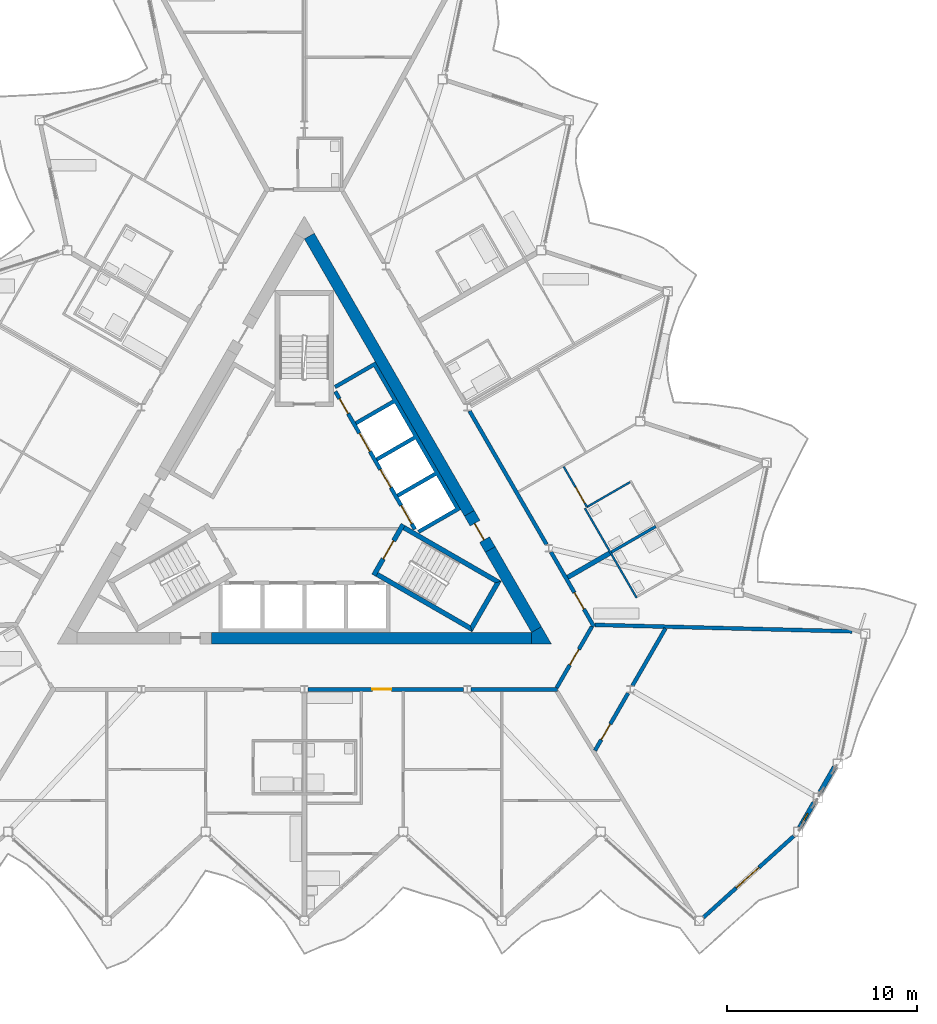
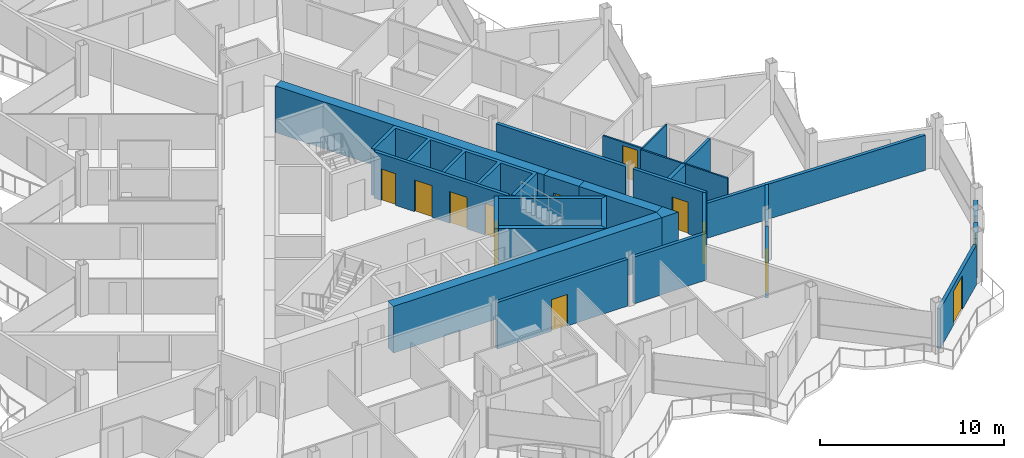
# One storey, part 15 of 26: 27 walls, 12 doors, 1 window, 13 openings.
"""IFC4 building model written with IfcOpenShell, lengths in metres."""

from ifc_helpers import new_model, si_unit, direction, frame, frame_2d, origin, place, context, subcontext, project, spatial, polyline, rectangle, outline, extrude, material, layer, layer_set, type_object, element, fill, save


model = new_model("IFC4")

# Units and contexts
model_context = context("Model", 3, precision=1e-05, world=origin(), true_north=direction((0.0, 1.0)))
body_context = subcontext(model_context, "Body", "Model", "MODEL_VIEW")
ifc_project = project(units=[si_unit("LENGTHUNIT", "METRE"), si_unit("AREAUNIT", "SQUARE_METRE"), si_unit("VOLUMEUNIT", "CUBIC_METRE"), si_unit("PLANEANGLEUNIT", "RADIAN"), si_unit("MASSUNIT", "GRAM", prefix="KILO")], contexts=[model_context])

# Site, building, storey
site_placement = place(None, origin())
site = spatial("IfcSite", under=ifc_project, at=site_placement, CompositionType="ELEMENT")
building_placement = place(site_placement, origin())
building = spatial("IfcBuilding", under=site, at=building_placement, Name="Cormorant Prow Tower", CompositionType="ELEMENT")
storey_placement = place(building_placement, frame((0.0, 0.0, 401.800048828125)))
storey = spatial("IfcBuildingStorey", under=building, at=storey_placement, Name="L92", CompositionType="ELEMENT", Elevation=401.800048828125)

# Walls
ifc_material_1 = material(Name="Concrete 8000 psi", Category="concrete")
ifc_layer_1 = layer(ifc_material_1, 0.60009765625)
ifc_layer_set_1 = layer_set([ifc_layer_1], Name="Concrete 8000 psi")
wall_type_1 = type_object("IfcWallType", Name="Core shear wall 600", PredefinedType="SHEAR", material=ifc_layer_set_1)
for number, where, z_axis, x_axis, name in (
    (1, (-4.89208984375, -7.20556640625, 0.0), (0.0, 0.0, 1.0), (1.0, 0.0, 0.0), "Core wall"),
    (2, (8.686279296875, -0.6337890625, 0.0), (0.0, 0.0, 1.0), (-0.500004601921, 0.866022746848, 0.0), "Core wall"),
):
    element("IfcWall", number, at=place(storey_placement, frame(where, z_axis=z_axis, x_axis=x_axis)), inside=storey, type_object=wall_type_1, Name=name, PredefinedType="SHEAR", context=body_context, shape_type="SweptSolid", body=[
        extrude(rectangle(XDim=16.852783203125, YDim=0.60009765625, at=frame_2d((8.42626953125, 0.0))), origin(), (0.0, 0.0, 1.0), 3.099853515625),
    ])
wall_1_placement = place(storey_placement, frame((12.220703125, -6.755615234375, 0.0), z_axis=(0.0, 0.0, 1.0), x_axis=(-0.50000604952, 0.866021911064, 0.0)))
element("IfcWall", 3, at=wall_1_placement, inside=storey, type_object=wall_type_1, Name="Core wall", PredefinedType="SHEAR", context=body_context, shape_type="SweptSolid", body=[
    extrude(rectangle(XDim=4.86865234375, YDim=0.60009765625, at=frame_2d((2.434326171875, 0.0))), origin(), (0.0, 0.0, 1.0), 3.099853515625),
])
wall_2_placement = place(storey_placement, origin())
element("IfcWall", 4, at=wall_2_placement, inside=storey, type_object=wall_type_1, Name="Core wall corner", PredefinedType="SHEAR", context=body_context, shape_type="SweptSolid", body=[
    extrude(outline(polyline([(11.960693359375, -7.505615234375), (11.960693359375, -6.905517578125), (12.48046875, -6.605712890625), (13.0, -7.505615234375), (11.960693359375, -7.505615234375)])), origin(), (0.0, 0.0, 1.0), 3.099853515625),
])

# Wall, opening, door
wall_3_placement = place(storey_placement, frame((9.786376953125, -2.539306640625, 0.0), z_axis=(0.0, 0.0, 1.0), x_axis=(-0.499981787252, 0.866035918664, 0.0)))
wall_3 = element("IfcWall", 5, at=wall_3_placement, inside=storey, type_object=wall_type_1, Name="Core wall door panel", PredefinedType="SHEAR", context=body_context, shape_type="SweptSolid", body=[
    extrude(rectangle(XDim=2.2001953125, YDim=0.60009765625, at=frame_2d((1.10009765625, 0.0))), origin(), (0.0, 0.0, 1.0), 3.099853515625),
])
opening_1_placement = place(wall_3_placement, frame((0.60009765625, 0.0, 0.0)))
opening_1 = element("IfcOpeningElement", 6, at=opening_1_placement, cuts=wall_3, Name="Opening L92-C15", PredefinedType="OPENING", context=body_context, shape_type="SweptSolid", body=[
    extrude(rectangle(XDim=1.0, YDim=2.10009765625, at=frame_2d((0.5, 1.050048828125))), frame((0.0, 0.31005859375, 0.0), z_axis=(0.0, -1.0, 0.0), x_axis=(1.0, 0.0, 0.0)), (0.0, 0.0, 1.0), 0.6201171875),
])
ifc_material_2 = material(Name="Painted steel", Category="steel")
door_type_1 = type_object("IfcDoorType", Name="Service door 1000x2100", OperationType="NOTDEFINED", PredefinedType="DOOR", material=ifc_material_2)
door_1_placement = place(opening_1_placement, origin())
door_1 = element("IfcDoor", 7, at=door_1_placement, inside=storey, type_object=door_type_1, Name="Core door, Electrical room", OperationType="SINGLE_SWING_LEFT", OverallHeight=2.10009765625, OverallWidth=1.0, PredefinedType="DOOR", context=body_context, shape_type="SweptSolid", body=[
    extrude(rectangle(XDim=1.0, YDim=2.10009765625, at=frame_2d((0.5, 1.050048828125))), frame((0.0, 0.05517578125, 0.0), z_axis=(0.0, -1.0, 0.0), x_axis=(1.0, 0.0, 0.0)), (0.0, 0.0, 1.0), 0.050048828125),
])
fill(opening_1, door_1)

ifc_material_3 = material(Name="Gypsum board corridor wall")
ifc_layer_2 = layer(ifc_material_3, 0.199951171875)
ifc_layer_set_2 = layer_set([ifc_layer_2], Name="Gypsum board corridor wall")
wall_type_2 = type_object("IfcWallType", Name="Corridor wall 200", PredefinedType="PARTITIONING", material=ifc_layer_set_2)
wall_4_placement = place(storey_placement, frame((0.197021484375, -9.905517578125, 0.0), z_axis=(0.0, 0.0, 1.0), x_axis=(1.0, 0.0, 0.0)))
wall_4 = element("IfcWall", 8, at=wall_4_placement, inside=storey, type_object=wall_type_2, Name="Corridor wall", PredefinedType="PARTITIONING", context=body_context, shape_type="SweptSolid", body=[
    extrude(rectangle(XDim=8.1845703125, YDim=0.199951171875, at=frame_2d((4.09228515625, 0.0))), origin(), (0.0, 0.0, 1.0), 3.099853515625),
])
opening_2_placement = place(wall_4_placement, frame((3.3896484375, 0.0, 0.0)))
opening_2 = element("IfcOpeningElement", 9, at=opening_2_placement, cuts=wall_4, Name="Opening L92-F08", PredefinedType="OPENING", context=body_context, shape_type="SweptSolid", body=[
    extrude(rectangle(XDim=1.0, YDim=2.10009765625, at=frame_2d((0.5, 1.050048828125))), frame((0.0, 0.10986328125, 0.0), z_axis=(0.0, -1.0, 0.0), x_axis=(1.0, 0.0, 0.0)), (0.0, 0.0, 1.0), 0.219970703125),
])
ifc_material_4 = material(Name="Timber door leaf", Category="wood")
door_type_2 = type_object("IfcDoorType", Name="Flat or room entrance door 1000x2100", OperationType="NOTDEFINED", PredefinedType="DOOR", material=ifc_material_4)
door_2_placement = place(opening_2_placement, origin())
door_2 = element("IfcDoor", 10, at=door_2_placement, inside=storey, type_object=door_type_2, Name="Living room door", OperationType="SINGLE_SWING_RIGHT", OverallHeight=2.10009765625, OverallWidth=1.0, PredefinedType="DOOR", context=body_context, shape_type="SweptSolid", body=[
    extrude(rectangle(XDim=1.0, YDim=2.10009765625, at=frame_2d((0.5, 1.050048828125))), frame((0.0, 0.02490234375, 0.0), z_axis=(0.0, -1.0, 0.0), x_axis=(1.0, 0.0, 0.0)), (0.0, 0.0, 1.0), 0.050048828125),
])
fill(opening_2, door_2)

# Walls
wall_5_placement = place(storey_placement, frame((8.692138671875, 4.755859375, 0.0), z_axis=(0.0, 0.0, 1.0), x_axis=(0.500001682468, -0.866024432409, 0.0)))
element("IfcWall", 11, at=wall_5_placement, inside=storey, type_object=wall_type_2, Name="Corridor wall", PredefinedType="PARTITIONING", context=body_context, shape_type="SweptSolid", body=[
    extrude(rectangle(XDim=8.12353515625, YDim=0.199951171875, at=frame_2d((4.061767578125, 0.0))), origin(), (0.0, 0.0, 1.0), 3.099853515625),
])
wall_6_placement = place(storey_placement, frame((8.775390625, -9.905517578125, 0.0), z_axis=(0.0, 0.0, 1.0), x_axis=(1.0, 0.0, 0.0)))
element("IfcWall", 12, at=wall_6_placement, inside=storey, type_object=wall_type_2, Name="Corridor wall", PredefinedType="PARTITIONING", context=body_context, shape_type="SweptSolid", body=[
    extrude(rectangle(XDim=4.555419921875, YDim=0.199951171875, at=frame_2d((2.27783203125, 0.0))), origin(), (0.0, 0.0, 1.0), 3.099853515625),
])

# Wall, opening, door
wall_7_placement = place(storey_placement, frame((12.9814453125, -2.67333984375, 0.0), z_axis=(0.0, 0.0, 1.0), x_axis=(0.499974648164, -0.866040040179, 0.0)))
wall_7 = element("IfcWall", 13, at=wall_7_placement, inside=storey, type_object=wall_type_2, Name="Corridor wall", PredefinedType="PARTITIONING", context=body_context, shape_type="SweptSolid", body=[
    extrude(rectangle(XDim=4.525146484375, YDim=0.199951171875, at=frame_2d((2.2626953125, 0.0))), origin(), (0.0, 0.0, 1.0), 3.099853515625),
])
opening_3_placement = place(wall_7_placement, frame((2.46826171875, 0.0, 0.0)))
opening_3 = element("IfcOpeningElement", 14, at=opening_3_placement, cuts=wall_7, Name="Opening L92-F18", PredefinedType="OPENING", context=body_context, shape_type="SweptSolid", body=[
    extrude(rectangle(XDim=1.0, YDim=2.10009765625, at=frame_2d((0.5, 1.050048828125))), frame((0.0, 0.10986328125, 0.0), z_axis=(0.0, -1.0, 0.0), x_axis=(1.0, 0.0, 0.0)), (0.0, 0.0, 1.0), 0.219970703125),
])
door_3_placement = place(opening_3_placement, origin())
door_3 = element("IfcDoor", 15, at=door_3_placement, inside=storey, type_object=door_type_2, Name="Studio living, kitchen and sleeping room door", OperationType="SINGLE_SWING_LEFT", OverallHeight=2.10009765625, OverallWidth=1.0, PredefinedType="DOOR", context=body_context, shape_type="SweptSolid", body=[
    extrude(rectangle(XDim=1.0, YDim=2.10009765625, at=frame_2d((0.5, 1.050048828125))), frame((0.0, 0.02490234375, 0.0), z_axis=(0.0, -1.0, 0.0), x_axis=(1.0, 0.0, 0.0)), (0.0, 0.0, 1.0), 0.050048828125),
])
fill(opening_3, door_3)

wall_8_placement = place(storey_placement, frame((13.281005859375, -9.819091796875, 0.0), z_axis=(0.0, 0.0, 1.0), x_axis=(0.499958791762, 0.866049194065, 0.0)))
wall_8 = element("IfcWall", 16, at=wall_8_placement, inside=storey, type_object=wall_type_2, Name="Corridor wall", PredefinedType="PARTITIONING", context=body_context, shape_type="SweptSolid", body=[
    extrude(rectangle(XDim=3.725830078125, YDim=0.199951171875, at=frame_2d((1.86279296875, 0.0))), origin(), (0.0, 0.0, 1.0), 3.099853515625),
])
opening_4_placement = place(wall_8_placement, frame((1.387939453125, 0.0, 0.0)))
opening_4 = element("IfcOpeningElement", 17, at=opening_4_placement, cuts=wall_8, Name="Opening L92-F16", PredefinedType="OPENING", context=body_context, shape_type="SweptSolid", body=[
    extrude(rectangle(XDim=0.949951171875, YDim=2.10009765625, at=frame_2d((0.47509765625, 1.050048828125))), frame((0.0, 0.10986328125, 0.0), z_axis=(0.0, -1.0, 0.0), x_axis=(1.0, 0.0, 0.0)), (0.0, 0.0, 1.0), 0.219970703125),
])
ifc_material_5 = material(Name="Timber door leaf", Category="wood")
door_type_3 = type_object("IfcDoorType", Name="Store door 950x2100", OperationType="NOTDEFINED", PredefinedType="DOOR", material=ifc_material_5)
door_4_placement = place(opening_4_placement, origin())
door_4 = element("IfcDoor", 18, at=door_4_placement, inside=storey, type_object=door_type_3, Name="Refuse room door", OperationType="SINGLE_SWING_LEFT", OverallHeight=2.10009765625, OverallWidth=0.949951171875, PredefinedType="DOOR", context=body_context, shape_type="SweptSolid", body=[
    extrude(rectangle(XDim=0.949951171875, YDim=2.10009765625, at=frame_2d((0.47509765625, 1.050048828125))), frame((0.0, 0.02490234375, 0.0), z_axis=(0.0, -1.0, 0.0), x_axis=(1.0, 0.0, 0.0)), (0.0, 0.0, 1.0), 0.050048828125),
])
fill(opening_4, door_4)

# Wall
ifc_material_6 = material(Name="Gypsum board demising wall")
ifc_layer_3 = layer(ifc_material_6, 0.199951171875)
ifc_layer_set_3 = layer_set([ifc_layer_3], Name="Gypsum board demising wall")
wall_type_3 = type_object("IfcWallType", Name="Demising wall 200", PredefinedType="PARTITIONING", material=ifc_layer_set_3)
wall_9_placement = place(storey_placement, frame((15.293701171875, -6.508056640625, 0.0), z_axis=(0.0, 0.0, 1.0), x_axis=(0.999679467074, -0.02531724927, 0.0)))
element("IfcWall", 19, at=wall_9_placement, inside=storey, type_object=wall_type_3, Name="Demising wall", PredefinedType="PARTITIONING", context=body_context, shape_type="SweptSolid", body=[
    extrude(rectangle(XDim=13.529541015625, YDim=0.199951171875, at=frame_2d((6.7646484375, 0.0))), origin(), (0.0, 0.0, 1.0), 2.330078125),
])

# Wall, opening, door
wall_10_placement = place(storey_placement, frame((15.300537109375, -13.12109375, 0.0), z_axis=(0.0, 0.0, 1.0), x_axis=(0.499981154543, 0.866036283941, 0.0)))
wall_10 = element("IfcWall", 20, at=wall_10_placement, inside=storey, type_object=wall_type_3, Name="Demising wall", PredefinedType="PARTITIONING", context=body_context, shape_type="SweptSolid", body=[
    extrude(rectangle(XDim=3.485595703125, YDim=0.199951171875, at=frame_2d((1.74267578125, 0.0))), origin(), (0.0, 0.0, 1.0), 2.330078125),
])
opening_5_placement = place(wall_10_placement, frame((0.656982421875, 0.0, 0.0)))
opening_5 = element("IfcOpeningElement", 21, at=opening_5_placement, cuts=wall_10, Name="Opening L92-F17", PredefinedType="OPENING", context=body_context, shape_type="SweptSolid", body=[
    extrude(rectangle(XDim=0.949951171875, YDim=2.10009765625, at=frame_2d((0.47509765625, 1.050048828125))), frame((0.0, 0.10986328125, 0.0), z_axis=(0.0, -1.0, 0.0), x_axis=(1.0, 0.0, 0.0)), (0.0, 0.0, 1.0), 0.219970703125),
])
door_5_placement = place(opening_5_placement, origin())
door_5 = element("IfcDoor", 22, at=door_5_placement, inside=storey, type_object=door_type_3, Name="Bicycle store door", OperationType="SINGLE_SWING_LEFT", OverallHeight=2.10009765625, OverallWidth=0.949951171875, PredefinedType="DOOR", context=body_context, shape_type="SweptSolid", body=[
    extrude(rectangle(XDim=0.949951171875, YDim=2.10009765625, at=frame_2d((0.47509765625, 1.050048828125))), frame((0.0, 0.02490234375, 0.0), z_axis=(0.0, -1.0, 0.0), x_axis=(1.0, 0.0, 0.0)), (0.0, 0.0, 1.0), 0.050048828125),
])
fill(opening_5, door_5)

# Walls
wall_11_placement = place(storey_placement, frame((17.270751953125, -9.70849609375, 0.0), z_axis=(0.0, 0.0, 1.0), x_axis=(0.500011485685, 0.866018772419, 0.0)))
element("IfcWall", 23, at=wall_11_placement, inside=storey, type_object=wall_type_3, Name="Demising wall", PredefinedType="PARTITIONING", context=body_context, shape_type="SweptSolid", body=[
    extrude(rectangle(XDim=3.4853515625, YDim=0.199951171875, at=frame_2d((1.74267578125, 0.0))), origin(), (0.0, 0.0, 1.0), 2.330078125),
])
ifc_material_7 = material(Name="Gypsum board partition")
ifc_layer_4 = layer(ifc_material_7, 0.10009765625)
ifc_layer_set_4 = layer_set([ifc_layer_4], Name="Gypsum board partition")
wall_type_4 = type_object("IfcWallType", Name="Internal partition 100", PredefinedType="PARTITIONING", material=ifc_layer_set_4)
wall_12_placement = place(storey_placement, frame((14.7666015625, -0.365478515625, 0.0), z_axis=(0.0, 0.0, 1.0), x_axis=(0.500002931134, -0.866023711487, 0.0)))
element("IfcWall", 24, at=wall_12_placement, inside=storey, type_object=wall_type_4, Name="Internal partition", PredefinedType="PARTITIONING", context=body_context, shape_type="SweptSolid", body=[
    extrude(rectangle(XDim=5.4501953125, YDim=0.10009765625, at=frame_2d((2.72509765625, 0.0))), origin(), (0.0, 0.0, 1.0), 2.330078125),
])
wall_13_placement = place(storey_placement, frame((14.868408203125, -0.306884765625, 0.0), z_axis=(0.0, 0.0, 1.0), x_axis=(0.865997164422, 0.50004890882, 0.0)))
element("IfcWall", 25, at=wall_13_placement, inside=storey, type_object=wall_type_4, Name="Internal partition", PredefinedType="PARTITIONING", context=body_context, shape_type="SweptSolid", body=[
    extrude(rectangle(XDim=2.632568359375, YDim=0.10009765625, at=frame_2d((1.31640625, 0.0))), origin(), (0.0, 0.0, 1.0), 2.330078125),
])

# Wall, opening, door
wall_14_placement = place(storey_placement, frame((13.652099609375, 1.81982421875, 0.0), z_axis=(0.0, 0.0, 1.0), x_axis=(0.500018594424, -0.866014668023, 0.0)))
wall_14 = element("IfcWall", 26, at=wall_14_placement, inside=storey, type_object=wall_type_4, Name="Internal partition", PredefinedType="PARTITIONING", context=body_context, shape_type="SweptSolid", body=[
    extrude(rectangle(XDim=2.4501953125, YDim=0.10009765625, at=frame_2d((1.22509765625, 0.0))), origin(), (0.0, 0.0, 1.0), 2.330078125),
])
opening_6_placement = place(wall_14_placement, frame((1.25, 0.0, 0.0)))
opening_6 = element("IfcOpeningElement", 27, at=opening_6_placement, cuts=wall_14, Name="Opening L92-F26", PredefinedType="OPENING", context=body_context, shape_type="SweptSolid", body=[
    extrude(rectangle(XDim=0.949951171875, YDim=2.10009765625, at=frame_2d((0.47509765625, 1.050048828125))), frame((0.0, 0.06005859375, 0.0), z_axis=(0.0, -1.0, 0.0), x_axis=(1.0, 0.0, 0.0)), (0.0, 0.0, 1.0), 0.1201171875),
])
ifc_material_8 = material(Name="Timber door leaf", Category="wood")
door_type_4 = type_object("IfcDoorType", Name="Bathroom door 950x2100", OperationType="NOTDEFINED", PredefinedType="DOOR", material=ifc_material_8)
door_6_placement = place(opening_6_placement, origin())
door_6 = element("IfcDoor", 28, at=door_6_placement, inside=storey, type_object=door_type_4, Name="Bedroom door", OperationType="SINGLE_SWING_RIGHT", OverallHeight=2.10009765625, OverallWidth=0.949951171875, PredefinedType="DOOR", context=body_context, shape_type="SweptSolid", body=[
    extrude(rectangle(XDim=0.949951171875, YDim=2.10009765625, at=frame_2d((0.47509765625, 1.050048828125))), frame((0.0, 0.02490234375, 0.0), z_axis=(0.0, -1.0, 0.0), x_axis=(1.0, 0.0, 0.0)), (0.0, 0.0, 1.0), 0.050048828125),
])
fill(opening_6, door_6)

# Wall, openings, doors
ifc_material_9 = material(Name="Concrete 5000 psi", Category="concrete")
ifc_layer_5 = layer(ifc_material_9, 0.199951171875)
ifc_layer_set_5 = layer_set([ifc_layer_5], Name="Concrete 5000 psi")
wall_type_5 = type_object("IfcWallType", Name="Lift lobby wall 200", PredefinedType="SOLIDWALL", material=ifc_layer_set_5)
wall_15_placement = place(storey_placement, frame((5.817138671875, -1.4755859375, 0.0), z_axis=(0.0, 0.0, 1.0), x_axis=(-0.500002616675, 0.866023893041, 0.0)))
wall_15 = element("IfcWall", 29, at=wall_15_placement, inside=storey, type_object=wall_type_5, Name="Lift lobby wall, ENE block", PredefinedType="SOLIDWALL", context=body_context, shape_type="SweptSolid", body=[
    extrude(rectangle(XDim=8.373046875, YDim=0.199951171875, at=frame_2d((4.1865234375, 0.0))), origin(), (0.0, 0.0, 1.0), 3.099853515625),
])
opening_7_placement = place(wall_15_placement, frame((0.336669921875, 0.0, 0.0)))
opening_7 = element("IfcOpeningElement", 30, at=opening_7_placement, cuts=wall_15, Name="Opening L92-C05", PredefinedType="OPENING", context=body_context, shape_type="SweptSolid", body=[
    extrude(rectangle(XDim=1.10009765625, YDim=2.10009765625, at=frame_2d((0.550048828125, 1.050048828125))), frame((0.0, 0.10986328125, 0.0), z_axis=(0.0, -1.0, 0.0), x_axis=(1.0, 0.0, 0.0)), (0.0, 0.0, 1.0), 0.219970703125),
])
opening_8_placement = place(wall_15_placement, frame((2.53662109375, 0.0, 0.0)))
opening_8 = element("IfcOpeningElement", 31, at=opening_8_placement, cuts=wall_15, Name="Opening L92-C06", PredefinedType="OPENING", context=body_context, shape_type="SweptSolid", body=[
    extrude(rectangle(XDim=1.10009765625, YDim=2.10009765625, at=frame_2d((0.550048828125, 1.050048828125))), frame((0.0, 0.10986328125, 0.0), z_axis=(0.0, -1.0, 0.0), x_axis=(1.0, 0.0, 0.0)), (0.0, 0.0, 1.0), 0.219970703125),
])
opening_9_placement = place(wall_15_placement, frame((4.736572265625, 0.0, 0.0)))
opening_9 = element("IfcOpeningElement", 32, at=opening_9_placement, cuts=wall_15, Name="Opening L92-C07", PredefinedType="OPENING", context=body_context, shape_type="SweptSolid", body=[
    extrude(rectangle(XDim=1.10009765625, YDim=2.10009765625, at=frame_2d((0.550048828125, 1.050048828125))), frame((0.0, 0.10986328125, 0.0), z_axis=(0.0, -1.0, 0.0), x_axis=(1.0, 0.0, 0.0)), (0.0, 0.0, 1.0), 0.219970703125),
])
opening_10_placement = place(wall_15_placement, frame((7.03662109375, 0.0, 0.0)))
opening_10 = element("IfcOpeningElement", 33, at=opening_10_placement, cuts=wall_15, Name="Opening L92-C08", PredefinedType="OPENING", context=body_context, shape_type="SweptSolid", body=[
    extrude(rectangle(XDim=0.89990234375, YDim=2.10009765625, at=frame_2d((0.449951171875, 1.050048828125))), frame((0.0, 0.10986328125, 0.0), z_axis=(0.0, -1.0, 0.0), x_axis=(1.0, 0.0, 0.0)), (0.0, 0.0, 1.0), 0.219970703125),
])
ifc_material_10 = material(Name="Painted steel", Category="steel")
door_type_5 = type_object("IfcDoorType", Name="Lift landing door 1100x2100", OperationType="SLIDING_TO_LEFT", PredefinedType="DOOR", material=ifc_material_10)
door_7_placement = place(opening_7_placement, origin())
door_7 = element("IfcDoor", 34, at=door_7_placement, inside=storey, type_object=door_type_5, Name="Landing door HR2", OperationType="SLIDING_TO_LEFT", OverallHeight=2.10009765625, OverallWidth=1.10009765625, PredefinedType="DOOR", context=body_context, shape_type="SweptSolid", body=[
    extrude(rectangle(XDim=1.10009765625, YDim=2.10009765625, at=frame_2d((0.550048828125, 1.050048828125))), frame((0.0, 0.02490234375, 0.0), z_axis=(0.0, -1.0, 0.0), x_axis=(1.0, 0.0, 0.0)), (0.0, 0.0, 1.0), 0.050048828125),
])
fill(opening_7, door_7)
door_8_placement = place(opening_8_placement, origin())
door_8 = element("IfcDoor", 35, at=door_8_placement, inside=storey, type_object=door_type_5, Name="Landing door HR3", OperationType="SLIDING_TO_LEFT", OverallHeight=2.10009765625, OverallWidth=1.10009765625, PredefinedType="DOOR", context=body_context, shape_type="SweptSolid", body=[
    extrude(rectangle(XDim=1.10009765625, YDim=2.10009765625, at=frame_2d((0.550048828125, 1.050048828125))), frame((0.0, 0.02490234375, 0.0), z_axis=(0.0, -1.0, 0.0), x_axis=(1.0, 0.0, 0.0)), (0.0, 0.0, 1.0), 0.050048828125),
])
fill(opening_8, door_8)
door_9_placement = place(opening_9_placement, origin())
door_9 = element("IfcDoor", 36, at=door_9_placement, inside=storey, type_object=door_type_5, Name="Landing door HR4", OperationType="SLIDING_TO_LEFT", OverallHeight=2.10009765625, OverallWidth=1.10009765625, PredefinedType="DOOR", context=body_context, shape_type="SweptSolid", body=[
    extrude(rectangle(XDim=1.10009765625, YDim=2.10009765625, at=frame_2d((0.550048828125, 1.050048828125))), frame((0.0, 0.02490234375, 0.0), z_axis=(0.0, -1.0, 0.0), x_axis=(1.0, 0.0, 0.0)), (0.0, 0.0, 1.0), 0.050048828125),
])
fill(opening_9, door_9)
ifc_material_11 = material(Name="Painted steel", Category="steel")
door_type_6 = type_object("IfcDoorType", Name="Service door 900x2100", OperationType="NOTDEFINED", PredefinedType="DOOR", material=ifc_material_11)
door_10_placement = place(opening_10_placement, origin())
door_10 = element("IfcDoor", 37, at=door_10_placement, inside=storey, type_object=door_type_6, Name="Service door, Housekeeping store", OperationType="SINGLE_SWING_RIGHT", OverallHeight=2.10009765625, OverallWidth=0.89990234375, PredefinedType="DOOR", context=body_context, shape_type="SweptSolid", body=[
    extrude(rectangle(XDim=0.89990234375, YDim=2.10009765625, at=frame_2d((0.449951171875, 1.050048828125))), frame((0.0, 0.02490234375, 0.0), z_axis=(0.0, -1.0, 0.0), x_axis=(1.0, 0.0, 0.0)), (0.0, 0.0, 1.0), 0.050048828125),
])
fill(opening_10, door_10)

# Walls
ifc_material_12 = material(Name="Concrete 8000 psi", Category="concrete")
ifc_layer_6 = layer(ifc_material_12, 0.199951171875)
ifc_layer_set_6 = layer_set([ifc_layer_6], Name="Concrete 8000 psi")
wall_type_6 = type_object("IfcWallType", Name="Lift shaft wall 200", PredefinedType="SHEAR", material=ifc_layer_set_6)
wall_16_placement = place(storey_placement, origin())
element("IfcWall", 38, at=wall_16_placement, inside=storey, type_object=wall_type_6, Name="Lift shaft walls, ENE block", PredefinedType="SHEAR", context=body_context, shape_type="SweptSolid", body=[
    extrude(outline(polyline([(1.560546875, 6.09716796875), (3.730712890625, 7.35009765625), (8.230712890625, -0.444091796875), (6.060546875, -1.697021484375), (5.96044921875, -1.52392578125), (7.952392578125, -0.373779296875), (6.952392578125, 1.358154296875), (4.96044921875, 0.2080078125), (4.860595703125, 0.38134765625), (6.852294921875, 1.53125), (5.852294921875, 3.263427734375), (3.860595703125, 2.11328125), (3.760498046875, 2.28662109375), (5.75244140625, 3.4365234375), (4.75244140625, 5.168701171875), (2.760498046875, 4.018798828125), (2.660400390625, 4.19189453125), (4.65234375, 5.341796875), (3.65234375, 7.073974609375), (1.660400390625, 5.923828125), (1.560546875, 6.09716796875)])), origin(), (0.0, 0.0, 1.0), 3.099853515625),
])
ifc_material_13 = material(Name="Concrete 8000 psi", Category="concrete")
ifc_layer_7 = layer(ifc_material_13, 0.25)
ifc_layer_set_7 = layer_set([ifc_layer_7], Name="Concrete 8000 psi")
wall_type_7 = type_object("IfcWallType", Name="Stair wall 250", PredefinedType="SHEAR", material=ifc_layer_set_7)
wall_17_placement = place(storey_placement, origin())
element("IfcWall", 39, at=wall_17_placement, inside=storey, type_object=wall_type_7, Name="Stair ST2 enclosure wall (flank)", PredefinedType="SHEAR", context=body_context, shape_type="SweptSolid", body=[
    extrude(outline(polyline([(3.76318359375, -3.95556640625), (8.82958984375, -6.880615234375), (8.738037109375, -6.5390625), (3.88818359375, -3.739013671875), (3.76318359375, -3.95556640625)])), origin(), (0.0, 0.0, 1.0), 3.099853515625),
])
wall_18_placement = place(storey_placement, origin())
element("IfcWall", 40, at=wall_18_placement, inside=storey, type_object=wall_type_7, Name="Stair ST2 enclosure wall (end)", PredefinedType="SHEAR", context=body_context, shape_type="SweptSolid", body=[
    extrude(outline(polyline([(8.82958984375, -6.880615234375), (10.37353515625, -4.206298828125), (10.031982421875, -4.2978515625), (8.738037109375, -6.5390625), (8.82958984375, -6.880615234375)])), origin(), (0.0, 0.0, 1.0), 3.099853515625),
])
wall_19_placement = place(storey_placement, origin())
element("IfcWall", 41, at=wall_19_placement, inside=storey, type_object=wall_type_7, Name="Stair ST2 enclosure wall (flank)", PredefinedType="SHEAR", context=body_context, shape_type="SweptSolid", body=[
    extrude(outline(polyline([(10.031982421875, -4.2978515625), (10.37353515625, -4.206298828125), (5.30712890625, -1.28125), (5.18212890625, -1.497802734375), (10.031982421875, -4.2978515625)])), origin(), (0.0, 0.0, 1.0), 3.099853515625),
])

# Wall, opening, door
wall_20_placement = place(storey_placement, frame((3.655029296875, -3.89306640625, 0.0), z_axis=(0.0, 0.0, 1.0), x_axis=(0.499982516597, 0.866035497597, 0.0)))
wall_20 = element("IfcWall", 42, at=wall_20_placement, inside=storey, type_object=wall_type_7, Name="Stair ST2 door wall", PredefinedType="SHEAR", context=body_context, shape_type="SweptSolid", body=[
    extrude(rectangle(XDim=3.087890625, YDim=0.25, at=frame_2d((1.5439453125, 0.0))), origin(), (0.0, 0.0, 1.0), 3.099853515625),
])
opening_11_placement = place(wall_20_placement, frame((0.993896484375, 0.0, 0.0)))
opening_11 = element("IfcOpeningElement", 43, at=opening_11_placement, cuts=wall_20, Name="Opening L92-C12", PredefinedType="OPENING", context=body_context, shape_type="SweptSolid", body=[
    extrude(rectangle(XDim=1.10009765625, YDim=2.10009765625, at=frame_2d((0.550048828125, 1.050048828125))), frame((0.0, 0.135009765625, 0.0), z_axis=(0.0, -1.0, 0.0), x_axis=(1.0, 0.0, 0.0)), (0.0, 0.0, 1.0), 0.27001953125),
])
ifc_material_14 = material(Name="Painted steel", Category="steel")
door_type_7 = type_object("IfcDoorType", Name="Stair door 1100x2100", OperationType="NOTDEFINED", PredefinedType="DOOR", material=ifc_material_14)
door_11_placement = place(opening_11_placement, origin())
door_11 = element("IfcDoor", 44, at=door_11_placement, inside=storey, type_object=door_type_7, Name="Stair ST2 door", OperationType="SINGLE_SWING_RIGHT", OverallHeight=2.10009765625, OverallWidth=1.10009765625, PredefinedType="DOOR", context=body_context, shape_type="SweptSolid", body=[
    extrude(rectangle(XDim=1.10009765625, YDim=2.10009765625, at=frame_2d((0.550048828125, 1.050048828125))), frame((0.0, 0.02490234375, 0.0), z_axis=(0.0, -1.0, 0.0), x_axis=(1.0, 0.0, 0.0)), (0.0, 0.0, 1.0), 0.050048828125),
])
fill(opening_11, door_11)

# Wall
ifc_material_15 = material(Name="Acoustic gypsum party wall")
ifc_layer_8 = layer(ifc_material_15, 0.25)
ifc_layer_set_8 = layer_set([ifc_layer_8], Name="Acoustic gypsum party wall")
wall_type_8 = type_object("IfcWallType", Name="Suite party wall 250", PredefinedType="PARTITIONING", material=ifc_layer_set_8)
wall_21_placement = place(storey_placement, frame((13.864990234375, -4.00390625, 0.0), z_axis=(0.0, 0.0, 1.0), x_axis=(0.866054858364, 0.499948979701, 0.0)))
element("IfcWall", 45, at=wall_21_placement, inside=storey, type_object=wall_type_8, Name="Suite party wall", PredefinedType="PARTITIONING", context=body_context, shape_type="SweptSolid", body=[
    extrude(rectangle(XDim=2.550048828125, YDim=0.25, at=frame_2d((1.27490234375, 0.0))), origin(), (0.0, 0.0, 1.0), 2.330078125),
])

# Wall, opening, window
ifc_material_16 = material(Name="Terracotta", Category="masonry")
ifc_layer_9 = layer(ifc_material_16, 0.25)
ifc_layer_set_9 = layer_set([ifc_layer_9], Name="Terracotta")
wall_type_9 = type_object("IfcWallType", Name="Terracotta bay wall 250", PredefinedType="SOLIDWALL", material=ifc_layer_set_9)
wall_22_placement = place(storey_placement, frame((26.07470703125, -17.16943359375, 0.0), z_axis=(0.0, 0.0, 1.0), x_axis=(0.500048779063, 0.865997239347, 0.0)))
wall_22 = element("IfcWall", 46, at=wall_22_placement, inside=storey, type_object=wall_type_9, Name="Terracotta bay wall ESE00", PredefinedType="SOLIDWALL", context=body_context, shape_type="SweptSolid", body=[
    extrude(rectangle(XDim=1.510986328125, YDim=0.25, at=frame_2d((0.75537109375, 0.0))), origin(), (0.0, 0.0, 1.0), 2.6337890625),
])
opening_12_placement = place(wall_22_placement, frame((0.25, 0.0, 1.699951171875)))
opening_12 = element("IfcOpeningElement", 47, at=opening_12_placement, cuts=wall_22, Name="Opening WN11", PredefinedType="OPENING", context=body_context, shape_type="SweptSolid", body=[
    extrude(rectangle(XDim=0.60009765625, YDim=0.699951171875, at=frame_2d((0.300048828125, 0.35009765625))), frame((0.0, 0.135009765625, 0.0), z_axis=(0.0, -1.0, 0.0), x_axis=(1.0, 0.0, 0.0)), (0.0, 0.0, 1.0), 0.27001953125),
])
ifc_material_17 = material(Name="Aluminium 6063-T6", Category="aluminium")
window_type = type_object("IfcWindowType", Name="Corner bay window 600x700", PartitioningType="SINGLE_PANEL", PredefinedType="WINDOW", material=ifc_material_17)
window_placement = place(opening_12_placement, origin())
window = element("IfcWindow", 48, at=window_placement, inside=storey, type_object=window_type, Name="Corner bay window ESE00", OverallHeight=0.699951171875, OverallWidth=0.60009765625, PartitioningType="SINGLE_PANEL", PredefinedType="WINDOW", context=body_context, shape_type="SweptSolid", body=[
    extrude(rectangle(XDim=0.60009765625, YDim=0.699951171875, at=frame_2d((0.300048828125, 0.35009765625))), frame((0.0, 0.030029296875, 0.0), z_axis=(0.0, -1.0, 0.0), x_axis=(1.0, 0.0, 0.0)), (0.0, 0.0, 1.0), 0.06005859375),
])
fill(opening_12, window)

# Wall
wall_23_placement = place(storey_placement, frame((27.1484375, -15.309814453125, 0.0), z_axis=(0.0, 0.0, 1.0), x_axis=(0.499931517724, 0.866064938435, 0.0)))
element("IfcWall", 49, at=wall_23_placement, inside=storey, type_object=wall_type_9, Name="Terracotta bay wall ESE01", PredefinedType="SOLIDWALL", context=body_context, shape_type="SweptSolid", body=[
    extrude(rectangle(XDim=1.516357421875, YDim=0.25, at=frame_2d((0.75830078125, 0.0))), origin(), (0.0, 0.0, 1.0), 2.6337890625),
])

# Wall, opening, door
ifc_material_18 = material(Name="Terracotta", Category="masonry")
ifc_layer_10 = layer(ifc_material_18, 0.199951171875)
ifc_layer_set_10 = layer_set([ifc_layer_10], Name="Terracotta")
wall_type_10 = type_object("IfcWallType", Name="Terracotta jamb wall 200", PredefinedType="SOLIDWALL", material=ifc_layer_set_10)
wall_24_placement = place(storey_placement, frame((21.005126953125, -21.911865234375, 0.0), z_axis=(0.0, 0.0, 1.0), x_axis=(0.743132515916, 0.669144277259, 0.0)))
wall_24 = element("IfcWall", 50, at=wall_24_placement, inside=storey, type_object=wall_type_10, Name="Terracotta jamb wall S09", PredefinedType="SOLIDWALL", context=body_context, shape_type="SweptSolid", body=[
    extrude(rectangle(XDim=6.385009765625, YDim=0.199951171875, at=frame_2d((3.1923828125, 0.0))), origin(), (0.0, 0.0, 1.0), 2.6337890625),
])
opening_13_placement = place(wall_24_placement, frame((2.332763671875, 0.0, 0.0)))
opening_13 = element("IfcOpeningElement", 51, at=opening_13_placement, cuts=wall_24, Name="Opening ED92.05", PredefinedType="OPENING", context=body_context, shape_type="SweptSolid", body=[
    extrude(rectangle(XDim=1.60009765625, YDim=2.25, at=frame_2d((0.800048828125, 1.125))), frame((0.0, 0.10986328125, 0.0), z_axis=(0.0, -1.0, 0.0), x_axis=(1.0, 0.0, 0.0)), (0.0, 0.0, 1.0), 0.219970703125),
])
ifc_material_19 = material(Name="Aluminium 6063-T6", Category="aluminium")
door_type_8 = type_object("IfcDoorType", Name="Balcony door 1600x2250", OperationType="DOUBLE_DOOR_SINGLE_SWING", PredefinedType="DOOR", material=ifc_material_19)
door_12_placement = place(opening_13_placement, origin())
door_12 = element("IfcDoor", 52, at=door_12_placement, inside=storey, type_object=door_type_8, Name="Balcony door S09 ED92.05", OperationType="DOUBLE_DOOR_SINGLE_SWING", OverallHeight=2.25, OverallWidth=1.60009765625, PredefinedType="DOOR", context=body_context, shape_type="SweptSolid", body=[
    extrude(rectangle(XDim=1.60009765625, YDim=2.25, at=frame_2d((0.800048828125, 1.125))), frame((0.0, 0.02490234375, 0.0), z_axis=(0.0, -1.0, 0.0), x_axis=(1.0, 0.0, 0.0)), (0.0, 0.0, 1.0), 0.050048828125),
])
fill(opening_13, door_12)

# Wall
ifc_material_20 = material(Name="Plasterboard wet wall with pipe chase")
ifc_layer_11 = layer(ifc_material_20, 0.14990234375)
ifc_layer_set_11 = layer_set([ifc_layer_11], Name="Plasterboard wet wall with pipe chase")
wall_type_11 = type_object("IfcWallType", Name="Wet wall 150", PredefinedType="PLUMBINGWALL", material=ifc_layer_set_11)
wall_25_placement = place(storey_placement, frame((16.159912109375, -2.678955078125, 0.0), z_axis=(0.0, 0.0, 1.0), x_axis=(0.866019956843, 0.50000943426, 0.0)))
element("IfcWall", 53, at=wall_25_placement, inside=storey, type_object=wall_type_11, Name="Wet wall", PredefinedType="PLUMBINGWALL", context=body_context, shape_type="SweptSolid", body=[
    extrude(rectangle(XDim=2.7001953125, YDim=0.14990234375, at=frame_2d((1.35009765625, 0.0))), origin(), (0.0, 0.0, 1.0), 2.330078125),
])

save(model, "model.ifc")
